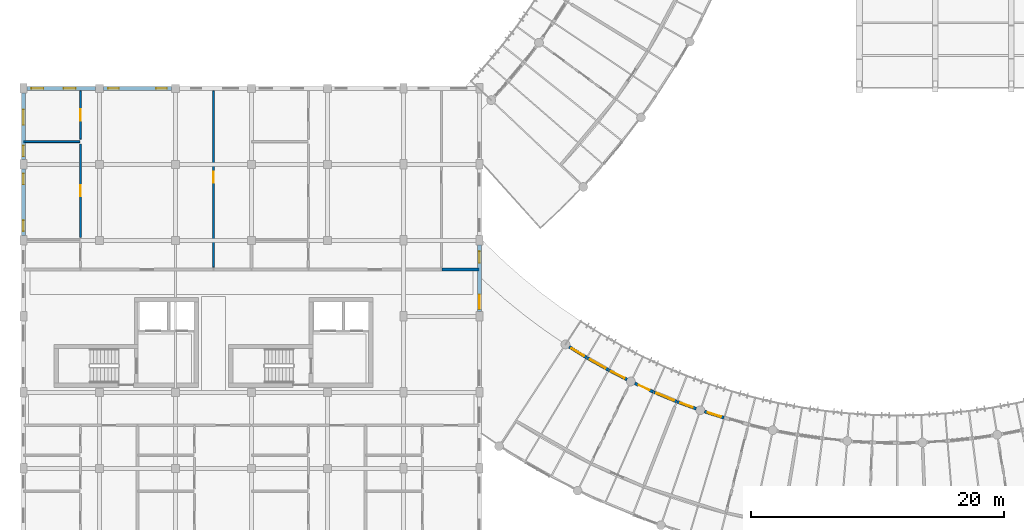
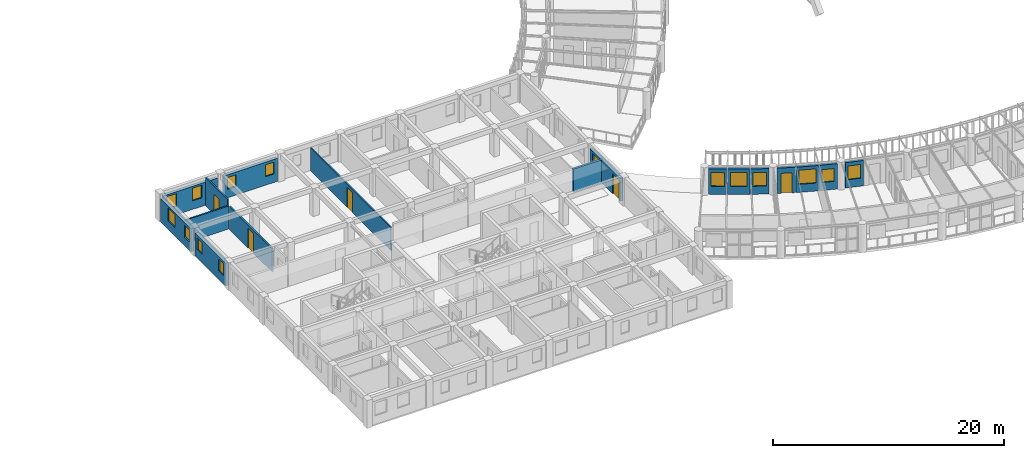
# One storey, part 78 of 123: 17 walls, 15 windows, 5 doors, 20 openings.
"""IFC4 building model written with IfcOpenShell, lengths in metres."""

from ifc_helpers import new_model, si_unit, direction, frame, frame_2d, origin, place, context, subcontext, project, spatial, rectangle, extrude, material, layer, layer_set, type_object, element, fill, save


model = new_model("IFC4")

# Units and contexts
model_context = context("Model", 3, precision=1e-05, world=origin(), true_north=direction((0.0, 1.0)))
body_context = subcontext(model_context, "Body", "Model", "MODEL_VIEW")
ifc_project = project(units=[si_unit("LENGTHUNIT", "METRE"), si_unit("AREAUNIT", "SQUARE_METRE"), si_unit("VOLUMEUNIT", "CUBIC_METRE"), si_unit("PLANEANGLEUNIT", "RADIAN"), si_unit("MASSUNIT", "GRAM", prefix="KILO"), si_unit("POWERUNIT", "WATT"), si_unit("THERMODYNAMICTEMPERATUREUNIT", "KELVIN")], contexts=[model_context])

# Site, building, storey
site_placement = place(None, origin())
site = spatial("IfcSite", under=ifc_project, at=site_placement, CompositionType="ELEMENT")
building_placement = place(site_placement, origin())
building = spatial("IfcBuilding", under=site, at=building_placement, Name="Ruvembo Vaulted Housing Court", CompositionType="ELEMENT")
storey_placement = place(building_placement, frame((0.0, 0.0, 7.699951171875)))
storey = spatial("IfcBuildingStorey", under=building, at=storey_placement, Name="L02", CompositionType="ELEMENT", Elevation=7.699951171875)

# Wall
ifc_material_1 = material(Name="Concrete Blockwork 210", Category="masonry")
ifc_layer_1 = layer(ifc_material_1, 0.2099609375, Name="Concrete Blockwork 210")
ifc_layer_set_1 = layer_set([ifc_layer_1], Name="Concrete Blockwork 210")
wall_type_1 = type_object("IfcWallType", Name="WL-CORR-210", PredefinedType="SOLIDWALL", material=ifc_layer_set_1)
wall_1_placement = place(storey_placement, frame((33.0400390625, 27.699951171875, 0.0), z_axis=(0.0, 0.0, 1.0), x_axis=(1.0, 0.0, 0.0)))
element("IfcWall", 1, at=wall_1_placement, inside=storey, type_object=wall_type_1, Name="L02 Flat A-L02-N2 Corridor Wall 2 WL-INT-L02-00530", PredefinedType="SOLIDWALL", context=body_context, shape_type="SweptSolid", body=[
    extrude(rectangle(XDim=2.919921875, YDim=0.2099609375, at=frame_2d((1.4599609375, 0.0))), origin(), (0.0, 0.0, 1.0), 2.43701171875),
])

# Wall, opening, window
ifc_material_2 = material(Name="Rendered Masonry 235", Category="masonry")
ifc_layer_2 = layer(ifc_material_2, 0.235107421875, Name="Rendered Masonry 235")
ifc_layer_set_2 = layer_set([ifc_layer_2], Name="Rendered Masonry 235")
wall_type_2 = type_object("IfcWallType", Name="WL-EXT-235", PredefinedType="STANDARD", material=ifc_layer_set_2)
wall_2_placement = place(storey_placement, frame((43.090576171875, 21.600341796875, 0.0), z_axis=(0.0, 0.0, 1.0), x_axis=(0.848934138406, -0.528498655296, 0.0)))
wall_2 = element("IfcWall", 2, at=wall_2_placement, inside=storey, type_object=wall_type_2, Name="Scoop SC2 L02 Concave Balcony Wall 0", PredefinedType="STANDARD", context=body_context, shape_type="SweptSolid", body=[
    extrude(rectangle(XDim=1.60986328125, YDim=0.235107421875, at=frame_2d((0.804931640625, 0.0))), origin(), (0.0, 0.0, 1.0), 2.68408203125),
])
opening_1_placement = place(wall_2_placement, frame((0.22998046875, 0.0, 0.85009765625)))
opening_1 = element("IfcOpeningElement", 3, at=opening_1_placement, cuts=wall_2, Name="Opening W11", PredefinedType="OPENING", context=body_context, shape_type="SweptSolid", body=[
    extrude(rectangle(XDim=1.14990234375, YDim=1.449951171875, at=frame_2d((0.574951171875, 0.72509765625))), frame((0.0, 0.12744140625, 0.0), z_axis=(0.0, -1.0, 0.0), x_axis=(1.0, 0.0, 0.0)), (0.0, 0.0, 1.0), 0.255126953125),
])
ifc_material_3 = material(Name="Double Solar-Control Glazing in Aluminium Frame", Category="aluminium")
window_type_1 = type_object("IfcWindowType", Name="WIN-1150x1450", PartitioningType="SINGLE_PANEL", PredefinedType="WINDOW", material=ifc_material_3)
window_1_placement = place(opening_1_placement, origin())
window_1 = element("IfcWindow", 4, at=window_1_placement, inside=storey, type_object=window_type_1, Name="Scoop SC2 L02 Concave Window 0", OverallHeight=1.449951171875, OverallWidth=1.14990234375, PartitioningType="SINGLE_PANEL", PredefinedType="WINDOW", context=body_context, shape_type="SweptSolid", body=[
    extrude(rectangle(XDim=1.14990234375, YDim=1.449951171875, at=frame_2d((0.574951171875, 0.72509765625))), frame((0.0, 0.030029296875, 0.0), z_axis=(0.0, -1.0, 0.0), x_axis=(1.0, 0.0, 0.0)), (0.0, 0.0, 1.0), 0.06005859375),
])
fill(opening_1, window_1)

wall_3_placement = place(storey_placement, frame((44.49169921875, 20.72900390625, 0.0), z_axis=(0.0, 0.0, 1.0), x_axis=(0.86993400964, -0.493168144623, 0.0)))
wall_3 = element("IfcWall", 5, at=wall_3_placement, inside=storey, type_object=wall_type_2, Name="Scoop SC2 L02 Concave Balcony Wall 1", PredefinedType="STANDARD", context=body_context, shape_type="SweptSolid", body=[
    extrude(rectangle(XDim=1.940185546875, YDim=0.235107421875, at=frame_2d((0.97021484375, 0.0))), origin(), (0.0, 0.0, 1.0), 2.68408203125),
])
opening_2_placement = place(wall_3_placement, frame((0.27001953125, 0.0, 0.85009765625)))
opening_2 = element("IfcOpeningElement", 6, at=opening_2_placement, cuts=wall_3, Name="Opening W17", PredefinedType="OPENING", context=body_context, shape_type="SweptSolid", body=[
    extrude(rectangle(XDim=1.39990234375, YDim=1.5, at=frame_2d((0.699951171875, 0.75))), frame((0.0, 0.12744140625, 0.0), z_axis=(0.0, -1.0, 0.0), x_axis=(1.0, 0.0, 0.0)), (0.0, 0.0, 1.0), 0.255126953125),
])
window_type_2 = type_object("IfcWindowType", Name="WIN-1400x1500", PartitioningType="SINGLE_PANEL", PredefinedType="WINDOW", material=ifc_material_3)
window_2_placement = place(opening_2_placement, origin())
window_2 = element("IfcWindow", 7, at=window_2_placement, inside=storey, type_object=window_type_2, Name="Scoop SC2 L02 Concave Window 1", OverallHeight=1.5, OverallWidth=1.39990234375, PartitioningType="SINGLE_PANEL", PredefinedType="WINDOW", context=body_context, shape_type="SweptSolid", body=[
    extrude(rectangle(XDim=1.39990234375, YDim=1.5, at=frame_2d((0.699951171875, 0.75))), frame((0.0, 0.030029296875, 0.0), z_axis=(0.0, -1.0, 0.0), x_axis=(1.0, 0.0, 0.0)), (0.0, 0.0, 1.0), 0.06005859375),
])
fill(opening_2, window_2)

wall_4_placement = place(storey_placement, frame((46.214599609375, 19.75341796875, 0.0), z_axis=(0.0, 0.0, 1.0), x_axis=(0.889553696252, -0.456830626693, 0.0)))
wall_4 = element("IfcWall", 8, at=wall_4_placement, inside=storey, type_object=wall_type_2, Name="Scoop SC2 L02 Concave Balcony Wall 2", PredefinedType="STANDARD", context=body_context, shape_type="SweptSolid", body=[
    extrude(rectangle(XDim=1.610107421875, YDim=0.235107421875, at=frame_2d((0.80517578125, 0.0))), origin(), (0.0, 0.0, 1.0), 2.68408203125),
])
opening_3_placement = place(wall_4_placement, frame((0.205078125, 0.0, 0.85009765625)))
opening_3 = element("IfcOpeningElement", 9, at=opening_3_placement, cuts=wall_4, Name="Opening W13", PredefinedType="OPENING", context=body_context, shape_type="SweptSolid", body=[
    extrude(rectangle(XDim=1.199951171875, YDim=1.449951171875, at=frame_2d((0.60009765625, 0.72509765625))), frame((0.0, 0.12744140625, 0.0), z_axis=(0.0, -1.0, 0.0), x_axis=(1.0, 0.0, 0.0)), (0.0, 0.0, 1.0), 0.255126953125),
])
window_type_3 = type_object("IfcWindowType", Name="WIN-1200x1450", PartitioningType="SINGLE_PANEL", PredefinedType="WINDOW", material=ifc_material_3)
window_3_placement = place(opening_3_placement, origin())
window_3 = element("IfcWindow", 10, at=window_3_placement, inside=storey, type_object=window_type_3, Name="Scoop SC2 L02 Concave Window 2", OverallHeight=1.449951171875, OverallWidth=1.199951171875, PartitioningType="SINGLE_PANEL", PredefinedType="WINDOW", context=body_context, shape_type="SweptSolid", body=[
    extrude(rectangle(XDim=1.199951171875, YDim=1.449951171875, at=frame_2d((0.60009765625, 0.72509765625))), frame((0.0, 0.030029296875, 0.0), z_axis=(0.0, -1.0, 0.0), x_axis=(1.0, 0.0, 0.0)), (0.0, 0.0, 1.0), 0.06005859375),
])
fill(opening_3, window_3)

# Wall, opening, door
wall_5_placement = place(storey_placement, frame((48.27587890625, 18.7109375, 0.0), z_axis=(0.0, 0.0, 1.0), x_axis=(0.907630651946, -0.419769698344, 0.0)))
wall_5 = element("IfcWall", 11, at=wall_5_placement, inside=storey, type_object=wall_type_2, Name="Scoop SC2 L02 Concave Balcony Wall 3", PredefinedType="STANDARD", context=body_context, shape_type="SweptSolid", body=[
    extrude(rectangle(XDim=1.60986328125, YDim=0.235107421875, at=frame_2d((0.804931640625, 0.0))), origin(), (0.0, 0.0, 1.0), 2.68408203125),
])
opening_4_placement = place(wall_5_placement, frame((0.330078125, 0.0, 0.0)))
opening_4 = element("IfcOpeningElement", 12, at=opening_4_placement, cuts=wall_5, Name="Opening BD0", PredefinedType="OPENING", context=body_context, shape_type="SweptSolid", body=[
    extrude(rectangle(XDim=0.949951171875, YDim=2.1201171875, at=frame_2d((0.47509765625, 1.06005859375))), frame((0.0, 0.12744140625, 0.0), z_axis=(0.0, -1.0, 0.0), x_axis=(1.0, 0.0, 0.0)), (0.0, 0.0, 1.0), 0.255126953125),
])
ifc_material_4 = material(Name="Thermally Broken Glazed Aluminium", Category="aluminium")
door_type_1 = type_object("IfcDoorType", Name="DR-BAL-0950x2120", OperationType="NOTDEFINED", PredefinedType="DOOR", material=ifc_material_4)
door_1_placement = place(opening_4_placement, origin())
door_1 = element("IfcDoor", 13, at=door_1_placement, inside=storey, type_object=door_type_1, Name="Scoop SC2 L02 Balcony Door 3", OperationType="SINGLE_SWING_LEFT", OverallHeight=2.1201171875, OverallWidth=0.949951171875, PredefinedType="DOOR", context=body_context, shape_type="SweptSolid", body=[
    extrude(rectangle(XDim=0.949951171875, YDim=2.1201171875, at=frame_2d((0.47509765625, 1.06005859375))), frame((0.0, 0.02490234375, 0.0), z_axis=(0.0, -1.0, 0.0), x_axis=(1.0, 0.0, 0.0)), (0.0, 0.0, 1.0), 0.050048828125),
])
fill(opening_4, door_1)

# Wall, opening, window
wall_6_placement = place(storey_placement, frame((49.773681640625, 18.019287109375, 0.0), z_axis=(0.0, 0.0, 1.0), x_axis=(0.92414555515, -0.382040564465, 0.0)))
wall_6 = element("IfcWall", 14, at=wall_6_placement, inside=storey, type_object=wall_type_2, Name="Scoop SC2 L02 Concave Balcony Wall 4", PredefinedType="STANDARD", context=body_context, shape_type="SweptSolid", body=[
    extrude(rectangle(XDim=1.940185546875, YDim=0.235107421875, at=frame_2d((0.97021484375, 0.0))), origin(), (0.0, 0.0, 1.0), 2.68408203125),
])
opening_5_placement = place(wall_6_placement, frame((0.219970703125, 0.0, 0.85009765625)))
opening_5 = element("IfcOpeningElement", 15, at=opening_5_placement, cuts=wall_6, Name="Opening W19", PredefinedType="OPENING", context=body_context, shape_type="SweptSolid", body=[
    extrude(rectangle(XDim=1.5, YDim=1.5, at=frame_2d((0.75, 0.75))), frame((0.0, 0.12744140625, 0.0), z_axis=(0.0, -1.0, 0.0), x_axis=(1.0, 0.0, 0.0)), (0.0, 0.0, 1.0), 0.255126953125),
])
window_type_4 = type_object("IfcWindowType", Name="WIN-1500x1500", PartitioningType="SINGLE_PANEL", PredefinedType="WINDOW", material=ifc_material_3)
window_4_placement = place(opening_5_placement, origin())
window_4 = element("IfcWindow", 16, at=window_4_placement, inside=storey, type_object=window_type_4, Name="Scoop SC2 L02 Concave Window 4", OverallHeight=1.5, OverallWidth=1.5, PartitioningType="SINGLE_PANEL", PredefinedType="WINDOW", context=body_context, shape_type="SweptSolid", body=[
    extrude(rectangle(XDim=1.5, YDim=1.5, at=frame_2d((0.75, 0.75))), frame((0.0, 0.030029296875, 0.0), z_axis=(0.0, -1.0, 0.0), x_axis=(1.0, 0.0, 0.0)), (0.0, 0.0, 1.0), 0.06005859375),
])
fill(opening_5, window_4)

wall_7_placement = place(storey_placement, frame((51.60400390625, 17.263671875, 0.0), z_axis=(0.0, 0.0, 1.0), x_axis=(0.939176538502, -0.34343475294, 0.0)))
wall_7 = element("IfcWall", 17, at=wall_7_placement, inside=storey, type_object=wall_type_2, Name="Scoop SC2 L02 Concave Balcony Wall 5", PredefinedType="STANDARD", context=body_context, shape_type="SweptSolid", body=[
    extrude(rectangle(XDim=1.610107421875, YDim=0.235107421875, at=frame_2d((0.80517578125, 0.0))), origin(), (0.0, 0.0, 1.0), 2.68408203125),
])
opening_6_placement = place(wall_7_placement, frame((0.280029296875, 0.0, 0.85009765625)))
opening_6 = element("IfcOpeningElement", 18, at=opening_6_placement, cuts=wall_7, Name="Opening W09", PredefinedType="OPENING", context=body_context, shape_type="SweptSolid", body=[
    extrude(rectangle(XDim=1.050048828125, YDim=1.35009765625, at=frame_2d((0.52490234375, 0.675048828125))), frame((0.0, 0.12744140625, 0.0), z_axis=(0.0, -1.0, 0.0), x_axis=(1.0, 0.0, 0.0)), (0.0, 0.0, 1.0), 0.255126953125),
])
window_type_5 = type_object("IfcWindowType", Name="WIN-1050x1350", PartitioningType="SINGLE_PANEL", PredefinedType="WINDOW", material=ifc_material_3)
window_5_placement = place(opening_6_placement, origin())
window_5 = element("IfcWindow", 19, at=window_5_placement, inside=storey, type_object=window_type_5, Name="Scoop SC2 L02 Concave Window 5", OverallHeight=1.35009765625, OverallWidth=1.050048828125, PartitioningType="SINGLE_PANEL", PredefinedType="WINDOW", context=body_context, shape_type="SweptSolid", body=[
    extrude(rectangle(XDim=1.050048828125, YDim=1.35009765625, at=frame_2d((0.52490234375, 0.675048828125))), frame((0.0, 0.030029296875, 0.0), z_axis=(0.0, -1.0, 0.0), x_axis=(1.0, 0.0, 0.0)), (0.0, 0.0, 1.0), 0.06005859375),
])
fill(opening_6, window_5)

wall_8_placement = place(storey_placement, frame((53.7783203125, 16.48388671875, 0.0), z_axis=(0.0, 0.0, 1.0), x_axis=(0.952508629145, -0.304511594861, 0.0)))
wall_8 = element("IfcWall", 20, at=wall_8_placement, inside=storey, type_object=wall_type_2, Name="Scoop SC2 L02 Concave Balcony Wall 6", PredefinedType="STANDARD", context=body_context, shape_type="SweptSolid", body=[
    extrude(rectangle(XDim=1.60986328125, YDim=0.235107421875, at=frame_2d((0.804931640625, 0.0))), origin(), (0.0, 0.0, 1.0), 2.68408203125),
])
opening_7_placement = place(wall_8_placement, frame((0.2548828125, 0.0, 0.85009765625)))
opening_7 = element("IfcOpeningElement", 21, at=opening_7_placement, cuts=wall_8, Name="Opening W10", PredefinedType="OPENING", context=body_context, shape_type="SweptSolid", body=[
    extrude(rectangle(XDim=1.10009765625, YDim=1.449951171875, at=frame_2d((0.550048828125, 0.72509765625))), frame((0.0, 0.12744140625, 0.0), z_axis=(0.0, -1.0, 0.0), x_axis=(1.0, 0.0, 0.0)), (0.0, 0.0, 1.0), 0.255126953125),
])
window_type_6 = type_object("IfcWindowType", Name="WIN-1100x1450", PartitioningType="SINGLE_PANEL", PredefinedType="WINDOW", material=ifc_material_3)
window_6_placement = place(opening_7_placement, origin())
window_6 = element("IfcWindow", 22, at=window_6_placement, inside=storey, type_object=window_type_6, Name="Scoop SC2 L02 Concave Window 6", OverallHeight=1.449951171875, OverallWidth=1.10009765625, PartitioningType="SINGLE_PANEL", PredefinedType="WINDOW", context=body_context, shape_type="SweptSolid", body=[
    extrude(rectangle(XDim=1.10009765625, YDim=1.449951171875, at=frame_2d((0.550048828125, 0.72509765625))), frame((0.0, 0.030029296875, 0.0), z_axis=(0.0, -1.0, 0.0), x_axis=(1.0, 0.0, 0.0)), (0.0, 0.0, 1.0), 0.06005859375),
])
fill(opening_7, window_6)

# Wall, openings, door, window
ifc_material_5 = material(Name="Rendered Masonry 300", Category="masonry")
ifc_layer_3 = layer(ifc_material_5, 0.300048828125, Name="Rendered Masonry 300")
ifc_layer_set_3 = layer_set([ifc_layer_3], Name="Rendered Masonry 300")
wall_type_3 = type_object("IfcWallType", Name="WL-EXT-300", PredefinedType="STANDARD", material=ifc_layer_set_3)
wall_9_placement = place(storey_placement, frame((36.0, 24.375, 0.0), z_axis=(0.0, 0.0, 1.0), x_axis=(0.0, 1.0, 0.0)))
wall_9 = element("IfcWall", 23, at=wall_9_placement, inside=storey, type_object=wall_type_3, Name="Block A L02 Exterior Wall EAST #4", PredefinedType="STANDARD", context=body_context, shape_type="SweptSolid", body=[
    extrude(rectangle(XDim=5.25, YDim=0.300048828125, at=frame_2d((2.625, 0.0))), origin(), (0.0, 0.0, 1.0), 2.43701171875),
])
opening_8_placement = place(wall_9_placement, frame((0.199951171875, 0.0, 0.0)))
opening_8 = element("IfcOpeningElement", 24, at=opening_8_placement, cuts=wall_9, Name="Opening GD1", PredefinedType="OPENING", context=body_context, shape_type="SweptSolid", body=[
    extrude(rectangle(XDim=1.14990234375, YDim=2.14990234375, at=frame_2d((0.574951171875, 1.074951171875))), frame((0.0, 0.159912109375, 0.0), z_axis=(0.0, -1.0, 0.0), x_axis=(1.0, 0.0, 0.0)), (0.0, 0.0, 1.0), 0.320068359375),
])
opening_9_placement = place(wall_9_placement, frame((3.857421875, 0.0, 0.89990234375)))
opening_9 = element("IfcOpeningElement", 25, at=opening_9_placement, cuts=wall_9, Name="Opening W04", PredefinedType="OPENING", context=body_context, shape_type="SweptSolid", body=[
    extrude(rectangle(XDim=0.89990234375, YDim=1.300048828125, at=frame_2d((0.449951171875, 0.64990234375))), frame((0.0, 0.159912109375, 0.0), z_axis=(0.0, -1.0, 0.0), x_axis=(1.0, 0.0, 0.0)), (0.0, 0.0, 1.0), 0.320068359375),
])
door_type_2 = type_object("IfcDoorType", Name="DR-GAL-1150x2150", OperationType="NOTDEFINED", PredefinedType="DOOR", material=ifc_material_4)
door_2_placement = place(opening_8_placement, frame((1.14990234375, 0.0, 0.0), z_axis=(0.0, 0.0, 1.0), x_axis=(-1.0, 0.0, 0.0)))
door_2 = element("IfcDoor", 26, at=door_2_placement, inside=storey, type_object=door_type_2, Name="Block A L02 Terrace or Gallery Door DR-TER-A-L02-009", OperationType="SINGLE_SWING_RIGHT", OverallHeight=2.14990234375, OverallWidth=1.14990234375, PredefinedType="DOOR", context=body_context, shape_type="SweptSolid", body=[
    extrude(rectangle(XDim=1.14990234375, YDim=2.14990234375, at=frame_2d((0.574951171875, 1.074951171875))), frame((0.0, 0.02490234375, 0.0), z_axis=(0.0, -1.0, 0.0), x_axis=(1.0, 0.0, 0.0)), (0.0, 0.0, 1.0), 0.050048828125),
])
fill(opening_8, door_2)
window_type_7 = type_object("IfcWindowType", Name="WIN-0900x1300", PartitioningType="SINGLE_PANEL", PredefinedType="WINDOW", material=ifc_material_3)
window_7_placement = place(opening_9_placement, origin())
window_7 = element("IfcWindow", 27, at=window_7_placement, inside=storey, type_object=window_type_7, Name="Block A L02 Window #98", OverallHeight=1.300048828125, OverallWidth=0.89990234375, PartitioningType="SINGLE_PANEL", PredefinedType="WINDOW", context=body_context, shape_type="SweptSolid", body=[
    extrude(rectangle(XDim=0.89990234375, YDim=1.300048828125, at=frame_2d((0.449951171875, 0.64990234375))), frame((0.0, 0.030029296875, 0.0), z_axis=(0.0, -1.0, 0.0), x_axis=(1.0, 0.0, 0.0)), (0.0, 0.0, 1.0), 0.06005859375),
])
fill(opening_9, window_7)

# Wall, openings, windows
wall_10_placement = place(storey_placement, frame((11.675048828125, 42.0, 0.0), z_axis=(0.0, 0.0, 1.0), x_axis=(-1.0, 0.0, 0.0)))
wall_10 = element("IfcWall", 28, at=wall_10_placement, inside=storey, type_object=wall_type_3, Name="Block A L02 Exterior Wall COURTYARD #5", PredefinedType="STANDARD", context=body_context, shape_type="SweptSolid", body=[
    extrude(rectangle(XDim=5.35009765625, YDim=0.300048828125, at=frame_2d((2.675048828125, 0.0))), origin(), (0.0, 0.0, 1.0), 2.43701171875),
])
opening_10_placement = place(wall_10_placement, frame((0.35009765625, 0.0, 0.89990234375)))
opening_10 = element("IfcOpeningElement", 29, at=opening_10_placement, cuts=wall_10, Name="Opening W03", PredefinedType="OPENING", context=body_context, shape_type="SweptSolid", body=[
    extrude(rectangle(XDim=0.85009765625, YDim=1.25, at=frame_2d((0.425048828125, 0.625))), frame((0.0, 0.159912109375, 0.0), z_axis=(0.0, -1.0, 0.0), x_axis=(1.0, 0.0, 0.0)), (0.0, 0.0, 1.0), 0.320068359375),
])
opening_11_placement = place(wall_10_placement, frame((4.14990234375, 0.0, 0.89990234375)))
opening_11 = element("IfcOpeningElement", 30, at=opening_11_placement, cuts=wall_10, Name="Opening W03", PredefinedType="OPENING", context=body_context, shape_type="SweptSolid", body=[
    extrude(rectangle(XDim=0.85009765625, YDim=1.25, at=frame_2d((0.425048828125, 0.625))), frame((0.0, 0.159912109375, 0.0), z_axis=(0.0, -1.0, 0.0), x_axis=(1.0, 0.0, 0.0)), (0.0, 0.0, 1.0), 0.320068359375),
])
window_type_8 = type_object("IfcWindowType", Name="WIN-0850x1250", PartitioningType="SINGLE_PANEL", PredefinedType="WINDOW", material=ifc_material_3)
window_8_placement = place(opening_10_placement, origin())
window_8 = element("IfcWindow", 31, at=window_8_placement, inside=storey, type_object=window_type_8, Name="Block A L02 Window #109", OverallHeight=1.25, OverallWidth=0.85009765625, PartitioningType="SINGLE_PANEL", PredefinedType="WINDOW", context=body_context, shape_type="SweptSolid", body=[
    extrude(rectangle(XDim=0.85009765625, YDim=1.25, at=frame_2d((0.425048828125, 0.625))), frame((0.0, 0.030029296875, 0.0), z_axis=(0.0, -1.0, 0.0), x_axis=(1.0, 0.0, 0.0)), (0.0, 0.0, 1.0), 0.06005859375),
])
fill(opening_10, window_8)
window_9_placement = place(opening_11_placement, origin())
window_9 = element("IfcWindow", 32, at=window_9_placement, inside=storey, type_object=window_type_8, Name="Block A L02 Window #110", OverallHeight=1.25, OverallWidth=0.85009765625, PartitioningType="SINGLE_PANEL", PredefinedType="WINDOW", context=body_context, shape_type="SweptSolid", body=[
    extrude(rectangle(XDim=0.85009765625, YDim=1.25, at=frame_2d((0.425048828125, 0.625))), frame((0.0, 0.030029296875, 0.0), z_axis=(0.0, -1.0, 0.0), x_axis=(1.0, 0.0, 0.0)), (0.0, 0.0, 1.0), 0.06005859375),
])
fill(opening_11, window_9)

wall_11_placement = place(storey_placement, frame((5.675048828125, 42.0, 0.0), z_axis=(0.0, 0.0, 1.0), x_axis=(-1.0, 0.0, 0.0)))
wall_11 = element("IfcWall", 33, at=wall_11_placement, inside=storey, type_object=wall_type_3, Name="Block A L02 Exterior Wall COURTYARD #6", PredefinedType="STANDARD", context=body_context, shape_type="SweptSolid", body=[
    extrude(rectangle(XDim=5.400146484375, YDim=0.300048828125, at=frame_2d((2.7001953125, 0.0))), origin(), (0.0, 0.0, 1.0), 2.43701171875),
])
opening_12_placement = place(wall_11_placement, frame((1.56494140625, 0.0, 0.89990234375)))
opening_12 = element("IfcOpeningElement", 34, at=opening_12_placement, cuts=wall_11, Name="Opening W07", PredefinedType="OPENING", context=body_context, shape_type="SweptSolid", body=[
    extrude(rectangle(XDim=0.949951171875, YDim=1.35009765625, at=frame_2d((0.47509765625, 0.675048828125))), frame((0.0, 0.159912109375, 0.0), z_axis=(0.0, -1.0, 0.0), x_axis=(1.0, 0.0, 0.0)), (0.0, 0.0, 1.0), 0.320068359375),
])
opening_13_placement = place(wall_11_placement, frame((4.10009765625, 0.0, 0.89990234375)))
opening_13 = element("IfcOpeningElement", 35, at=opening_13_placement, cuts=wall_11, Name="Opening W07", PredefinedType="OPENING", context=body_context, shape_type="SweptSolid", body=[
    extrude(rectangle(XDim=0.949951171875, YDim=1.35009765625, at=frame_2d((0.47509765625, 0.675048828125))), frame((0.0, 0.159912109375, 0.0), z_axis=(0.0, -1.0, 0.0), x_axis=(1.0, 0.0, 0.0)), (0.0, 0.0, 1.0), 0.320068359375),
])
window_type_9 = type_object("IfcWindowType", Name="WIN-0950x1350", PartitioningType="SINGLE_PANEL", PredefinedType="WINDOW", material=ifc_material_3)
window_10_placement = place(opening_12_placement, origin())
window_10 = element("IfcWindow", 36, at=window_10_placement, inside=storey, type_object=window_type_9, Name="Block A L02 Window #111", OverallHeight=1.35009765625, OverallWidth=0.949951171875, PartitioningType="SINGLE_PANEL", PredefinedType="WINDOW", context=body_context, shape_type="SweptSolid", body=[
    extrude(rectangle(XDim=0.949951171875, YDim=1.35009765625, at=frame_2d((0.47509765625, 0.675048828125))), frame((0.0, 0.030029296875, 0.0), z_axis=(0.0, -1.0, 0.0), x_axis=(1.0, 0.0, 0.0)), (0.0, 0.0, 1.0), 0.06005859375),
])
fill(opening_12, window_10)
window_11_placement = place(opening_13_placement, origin())
window_11 = element("IfcWindow", 37, at=window_11_placement, inside=storey, type_object=window_type_9, Name="Block A L02 Window #112", OverallHeight=1.35009765625, OverallWidth=0.949951171875, PartitioningType="SINGLE_PANEL", PredefinedType="WINDOW", context=body_context, shape_type="SweptSolid", body=[
    extrude(rectangle(XDim=0.949951171875, YDim=1.35009765625, at=frame_2d((0.47509765625, 0.675048828125))), frame((0.0, 0.030029296875, 0.0), z_axis=(0.0, -1.0, 0.0), x_axis=(1.0, 0.0, 0.0)), (0.0, 0.0, 1.0), 0.06005859375),
])
fill(opening_13, window_11)

wall_12_placement = place(storey_placement, frame((0.0, 41.625, 0.0), z_axis=(0.0, 0.0, 1.0), x_axis=(0.0, -1.0, 0.0)))
wall_12 = element("IfcWall", 38, at=wall_12_placement, inside=storey, type_object=wall_type_3, Name="Block A L02 Exterior Wall WEST #1", PredefinedType="STANDARD", context=body_context, shape_type="SweptSolid", body=[
    extrude(rectangle(XDim=5.25, YDim=0.300048828125, at=frame_2d((2.625, 0.0))), origin(), (0.0, 0.0, 1.0), 2.43701171875),
])
opening_14_placement = place(wall_12_placement, frame((1.29248046875, 0.0, 0.89990234375)))
opening_14 = element("IfcOpeningElement", 39, at=opening_14_placement, cuts=wall_12, Name="Opening W12", PredefinedType="OPENING", context=body_context, shape_type="SweptSolid", body=[
    extrude(rectangle(XDim=1.199951171875, YDim=1.35009765625, at=frame_2d((0.60009765625, 0.675048828125))), frame((0.0, 0.159912109375, 0.0), z_axis=(0.0, -1.0, 0.0), x_axis=(1.0, 0.0, 0.0)), (0.0, 0.0, 1.0), 0.320068359375),
])
opening_15_placement = place(wall_12_placement, frame((4.132568359375, 0.0, 0.89990234375)))
opening_15 = element("IfcOpeningElement", 40, at=opening_15_placement, cuts=wall_12, Name="Opening W03", PredefinedType="OPENING", context=body_context, shape_type="SweptSolid", body=[
    extrude(rectangle(XDim=0.85009765625, YDim=1.25, at=frame_2d((0.425048828125, 0.625))), frame((0.0, 0.159912109375, 0.0), z_axis=(0.0, -1.0, 0.0), x_axis=(1.0, 0.0, 0.0)), (0.0, 0.0, 1.0), 0.320068359375),
])
window_12_placement = place(opening_15_placement, origin())
window_12 = element("IfcWindow", 41, at=window_12_placement, inside=storey, type_object=window_type_8, Name="Block A L02 Window #114", OverallHeight=1.25, OverallWidth=0.85009765625, PartitioningType="SINGLE_PANEL", PredefinedType="WINDOW", context=body_context, shape_type="SweptSolid", body=[
    extrude(rectangle(XDim=0.85009765625, YDim=1.25, at=frame_2d((0.425048828125, 0.625))), frame((0.0, 0.030029296875, 0.0), z_axis=(0.0, -1.0, 0.0), x_axis=(1.0, 0.0, 0.0)), (0.0, 0.0, 1.0), 0.06005859375),
])
fill(opening_15, window_12)
window_type_10 = type_object("IfcWindowType", Name="WIN-1200x1350", PartitioningType="SINGLE_PANEL", PredefinedType="WINDOW", material=ifc_material_3)
window_13_placement = place(opening_14_placement, origin())
window_13 = element("IfcWindow", 42, at=window_13_placement, inside=storey, type_object=window_type_10, Name="Block A L02 Window #113", OverallHeight=1.35009765625, OverallWidth=1.199951171875, PartitioningType="SINGLE_PANEL", PredefinedType="WINDOW", context=body_context, shape_type="SweptSolid", body=[
    extrude(rectangle(XDim=1.199951171875, YDim=1.35009765625, at=frame_2d((0.60009765625, 0.675048828125))), frame((0.0, 0.030029296875, 0.0), z_axis=(0.0, -1.0, 0.0), x_axis=(1.0, 0.0, 0.0)), (0.0, 0.0, 1.0), 0.06005859375),
])
fill(opening_14, window_13)

wall_13_placement = place(storey_placement, frame((0.0, 35.625, 0.0), z_axis=(0.0, 0.0, 1.0), x_axis=(0.0, -1.0, 0.0)))
wall_13 = element("IfcWall", 43, at=wall_13_placement, inside=storey, type_object=wall_type_3, Name="Block A L02 Exterior Wall WEST #2", PredefinedType="STANDARD", context=body_context, shape_type="SweptSolid", body=[
    extrude(rectangle(XDim=5.25, YDim=0.300048828125, at=frame_2d((2.625, 0.0))), origin(), (0.0, 0.0, 1.0), 2.43701171875),
])
opening_16_placement = place(wall_13_placement, frame((0.35009765625, 0.0, 0.89990234375)))
opening_16 = element("IfcOpeningElement", 44, at=opening_16_placement, cuts=wall_13, Name="Opening W03", PredefinedType="OPENING", context=body_context, shape_type="SweptSolid", body=[
    extrude(rectangle(XDim=0.85009765625, YDim=1.25, at=frame_2d((0.425048828125, 0.625))), frame((0.0, 0.159912109375, 0.0), z_axis=(0.0, -1.0, 0.0), x_axis=(1.0, 0.0, 0.0)), (0.0, 0.0, 1.0), 0.320068359375),
])
opening_17_placement = place(wall_13_placement, frame((4.050048828125, 0.0, 0.89990234375)))
opening_17 = element("IfcOpeningElement", 45, at=opening_17_placement, cuts=wall_13, Name="Opening W03", PredefinedType="OPENING", context=body_context, shape_type="SweptSolid", body=[
    extrude(rectangle(XDim=0.85009765625, YDim=1.25, at=frame_2d((0.425048828125, 0.625))), frame((0.0, 0.159912109375, 0.0), z_axis=(0.0, -1.0, 0.0), x_axis=(1.0, 0.0, 0.0)), (0.0, 0.0, 1.0), 0.320068359375),
])
window_14_placement = place(opening_16_placement, origin())
window_14 = element("IfcWindow", 46, at=window_14_placement, inside=storey, type_object=window_type_8, Name="Block A L02 Window #115", OverallHeight=1.25, OverallWidth=0.85009765625, PartitioningType="SINGLE_PANEL", PredefinedType="WINDOW", context=body_context, shape_type="SweptSolid", body=[
    extrude(rectangle(XDim=0.85009765625, YDim=1.25, at=frame_2d((0.425048828125, 0.625))), frame((0.0, 0.030029296875, 0.0), z_axis=(0.0, -1.0, 0.0), x_axis=(1.0, 0.0, 0.0)), (0.0, 0.0, 1.0), 0.06005859375),
])
fill(opening_16, window_14)
window_15_placement = place(opening_17_placement, origin())
window_15 = element("IfcWindow", 47, at=window_15_placement, inside=storey, type_object=window_type_8, Name="Block A L02 Window #116", OverallHeight=1.25, OverallWidth=0.85009765625, PartitioningType="SINGLE_PANEL", PredefinedType="WINDOW", context=body_context, shape_type="SweptSolid", body=[
    extrude(rectangle(XDim=0.85009765625, YDim=1.25, at=frame_2d((0.425048828125, 0.625))), frame((0.0, 0.030029296875, 0.0), z_axis=(0.0, -1.0, 0.0), x_axis=(1.0, 0.0, 0.0)), (0.0, 0.0, 1.0), 0.06005859375),
])
fill(opening_17, window_15)

# Wall, opening, door
ifc_material_6 = material(Name="Acoustic Stud Partition 135", Category="gypsum")
ifc_layer_4 = layer(ifc_material_6, 0.135009765625, Name="Acoustic Stud Partition 135")
ifc_layer_set_4 = layer_set([ifc_layer_4], Name="Acoustic Stud Partition 135")
wall_type_4 = type_object("IfcWallType", Name="WL-PART-135", PredefinedType="PARTITIONING", material=ifc_layer_set_4)
wall_14_placement = place(storey_placement, frame((4.5, 37.989990234375, 0.0), z_axis=(0.0, 0.0, 1.0), x_axis=(0.0, 1.0, 0.0)))
wall_14 = element("IfcWall", 48, at=wall_14_placement, inside=storey, type_object=wall_type_4, Name="L02 Flat A-L02-N1 Bedroom 1 WL-INT-L02-00516", PredefinedType="PARTITIONING", context=body_context, shape_type="SweptSolid", body=[
    extrude(rectangle(XDim=3.820068359375, YDim=0.135009765625, at=frame_2d((1.91015625, 0.0))), origin(), (0.0, 0.0, 1.0), 2.955078125),
])
opening_18_placement = place(wall_14_placement, frame((1.469970703125, 0.0, 0.0)))
opening_18 = element("IfcOpeningElement", 49, at=opening_18_placement, cuts=wall_14, Name="Opening ID3", PredefinedType="OPENING", context=body_context, shape_type="SweptSolid", body=[
    extrude(rectangle(XDim=0.8798828125, YDim=2.10009765625, at=frame_2d((0.43994140625, 1.050048828125))), frame((0.0, 0.077392578125, 0.0), z_axis=(0.0, -1.0, 0.0), x_axis=(1.0, 0.0, 0.0)), (0.0, 0.0, 1.0), 0.155029296875),
])
ifc_material_7 = material(Name="FSC Hardwood and Engineered Timber", Category="wood")
door_type_3 = type_object("IfcDoorType", Name="DR-ROOM-0880x2100", OperationType="NOTDEFINED", PredefinedType="DOOR", material=ifc_material_7)
door_3_placement = place(opening_18_placement, origin())
door_3 = element("IfcDoor", 50, at=door_3_placement, inside=storey, type_object=door_type_3, Name="L02 Flat A-L02-N1 Bedroom 1 Door DR-INT-L02-00281", OperationType="SINGLE_SWING_LEFT", OverallHeight=2.10009765625, OverallWidth=0.8798828125, PredefinedType="DOOR", context=body_context, shape_type="SweptSolid", body=[
    extrude(rectangle(XDim=0.8798828125, YDim=2.10009765625, at=frame_2d((0.43994140625, 1.050048828125))), frame((0.0, 0.02490234375, 0.0), z_axis=(0.0, -1.0, 0.0), x_axis=(1.0, 0.0, 0.0)), (0.0, 0.0, 1.0), 0.050048828125),
])
fill(opening_18, door_3)

wall_15_placement = place(storey_placement, frame((15.0, 27.889892578125, 0.0), z_axis=(0.0, 0.0, 1.0), x_axis=(0.0, 1.0, 0.0)))
wall_15 = element("IfcWall", 51, at=wall_15_placement, inside=storey, type_object=wall_type_4, Name="L02 Flat A-L02-N1 Bedroom 2 WL-INT-L02-00522", PredefinedType="PARTITIONING", context=body_context, shape_type="SweptSolid", body=[
    extrude(rectangle(XDim=13.920166015625, YDim=0.135009765625, at=frame_2d((6.9599609375, 0.0))), origin(), (0.0, 0.0, 1.0), 2.43701171875),
])
opening_19_placement = place(wall_15_placement, frame((6.64990234375, 0.0, 0.0)))
opening_19 = element("IfcOpeningElement", 52, at=opening_19_placement, cuts=wall_15, Name="Opening ID1", PredefinedType="OPENING", context=body_context, shape_type="SweptSolid", body=[
    extrude(rectangle(XDim=0.89990234375, YDim=2.10009765625, at=frame_2d((0.449951171875, 1.050048828125))), frame((0.0, 0.077392578125, 0.0), z_axis=(0.0, -1.0, 0.0), x_axis=(1.0, 0.0, 0.0)), (0.0, 0.0, 1.0), 0.155029296875),
])
door_type_4 = type_object("IfcDoorType", Name="DR-ROOM-0900x2100", OperationType="NOTDEFINED", PredefinedType="DOOR", material=ifc_material_7)
door_4_placement = place(opening_19_placement, origin())
door_4 = element("IfcDoor", 53, at=door_4_placement, inside=storey, type_object=door_type_4, Name="L02 Flat A-L02-N1 Bedroom 2 Door DR-INT-L02-00284", OperationType="SINGLE_SWING_RIGHT", OverallHeight=2.10009765625, OverallWidth=0.89990234375, PredefinedType="DOOR", context=body_context, shape_type="SweptSolid", body=[
    extrude(rectangle(XDim=0.89990234375, YDim=2.10009765625, at=frame_2d((0.449951171875, 1.050048828125))), frame((0.0, 0.02490234375, 0.0), z_axis=(0.0, -1.0, 0.0), x_axis=(1.0, 0.0, 0.0)), (0.0, 0.0, 1.0), 0.050048828125),
])
fill(opening_19, door_4)

# Wall
ifc_material_8 = material(Name="Moisture-Resistant Wet Partition 150", Category="gypsum")
ifc_layer_5 = layer(ifc_material_8, 0.14990234375, Name="Moisture-Resistant Wet Partition 150")
ifc_layer_set_5 = layer_set([ifc_layer_5], Name="Moisture-Resistant Wet Partition 150")
wall_type_5 = type_object("IfcWallType", Name="WL-PART-150", PredefinedType="PARTITIONING", material=ifc_layer_set_5)
wall_16_placement = place(storey_placement, frame((0.0400390625, 37.800048828125, 0.0), z_axis=(0.0, 0.0, 1.0), x_axis=(1.0, 0.0, 0.0)))
element("IfcWall", 54, at=wall_16_placement, inside=storey, type_object=wall_type_5, Name="L02 Flat A-L02-N1 Wet Wall 1 WL-INT-L02-00519", PredefinedType="PARTITIONING", context=body_context, shape_type="SweptSolid", body=[
    extrude(rectangle(XDim=4.419921875, YDim=0.14990234375, at=frame_2d((2.2099609375, 0.0))), origin(), (0.0, 0.0, 1.0), 2.43701171875),
])

# Wall, opening, door
ifc_material_9 = material(Name="Acoustic Service Chase Wall 160", Category="gypsum")
ifc_layer_6 = layer(ifc_material_9, 0.159912109375, Name="Acoustic Service Chase Wall 160")
ifc_layer_set_6 = layer_set([ifc_layer_6], Name="Acoustic Service Chase Wall 160")
wall_type_6 = type_object("IfcWallType", Name="WL-PLUMB-160", PredefinedType="PLUMBINGWALL", material=ifc_layer_set_6)
wall_17_placement = place(storey_placement, frame((4.5, 30.239990234375, 0.0), z_axis=(0.0, 0.0, 1.0), x_axis=(0.0, 1.0, 0.0)))
wall_17 = element("IfcWall", 55, at=wall_17_placement, inside=storey, type_object=wall_type_6, Name="L02 Flat A-L02-N1 Kitchen WL-INT-L02-00517", PredefinedType="PLUMBINGWALL", context=body_context, shape_type="SweptSolid", body=[
    extrude(rectangle(XDim=7.3701171875, YDim=0.159912109375, at=frame_2d((3.68505859375, 0.0))), origin(), (0.0, 0.0, 1.0), 2.43701171875),
])
opening_20_placement = place(wall_17_placement, frame((3.235107421875, 0.0, 0.0)))
opening_20 = element("IfcOpeningElement", 56, at=opening_20_placement, cuts=wall_17, Name="Opening ID1", PredefinedType="OPENING", context=body_context, shape_type="SweptSolid", body=[
    extrude(rectangle(XDim=0.89990234375, YDim=2.10009765625, at=frame_2d((0.449951171875, 1.050048828125))), frame((0.0, 0.08984375, 0.0), z_axis=(0.0, -1.0, 0.0), x_axis=(1.0, 0.0, 0.0)), (0.0, 0.0, 1.0), 0.179931640625),
])
door_5_placement = place(opening_20_placement, origin())
door_5 = element("IfcDoor", 57, at=door_5_placement, inside=storey, type_object=door_type_4, Name="L02 Flat A-L02-N1 Kitchen Door DR-INT-L02-00282", OperationType="SINGLE_SWING_RIGHT", OverallHeight=2.10009765625, OverallWidth=0.89990234375, PredefinedType="DOOR", context=body_context, shape_type="SweptSolid", body=[
    extrude(rectangle(XDim=0.89990234375, YDim=2.10009765625, at=frame_2d((0.449951171875, 1.050048828125))), frame((0.0, 0.02490234375, 0.0), z_axis=(0.0, -1.0, 0.0), x_axis=(1.0, 0.0, 0.0)), (0.0, 0.0, 1.0), 0.050048828125),
])
fill(opening_20, door_5)

save(model, "model.ifc")
